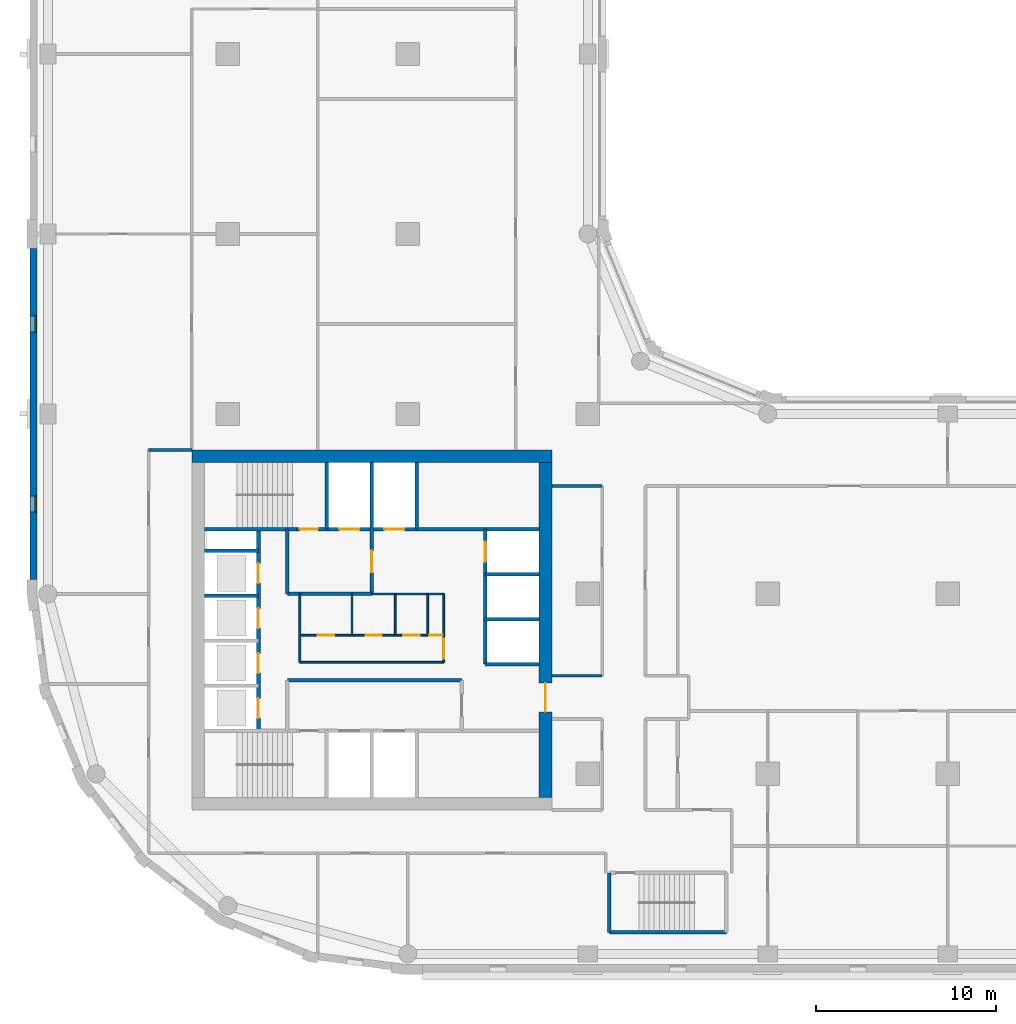
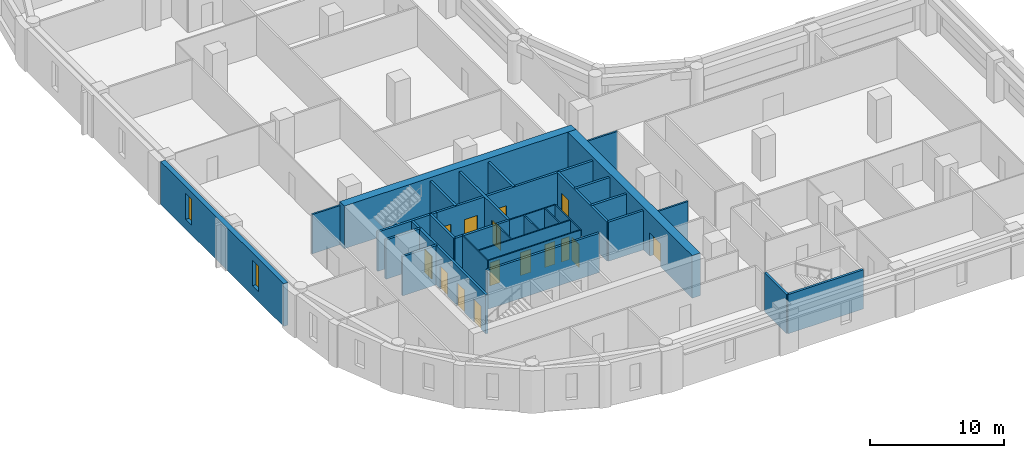
# One storey, part 3 of 10: 31 walls, 15 doors, 2 windows, 17 openings.
"""IFC4 building model written with IfcOpenShell, lengths in metres."""

import ifcopenshell
import ifcopenshell.guid

model = None  # the IFC model being written
_history = None  # IfcOwnerHistory: only IFC2X3 demands one
_inside = {}  # id of a spatial element -> (the spatial element, [elements in it])
_under = {}  # id of a project, library or spatial element -> (it, [spatial elements below it])
_declared = {}  # id of a project -> (the project, [libraries it declares])
_typed = {}  # id of a type object -> (the type object, [elements of that type])
_made_of = {}  # id of a material, layer set ... -> (it, [elements and type objects made of it])


def new_model(schema):
    """Start an empty IFC model of exactly this schema.

    Asked for "IFC4X3", IfcOpenShell would pick the latest addendum, in which some entities
    have other attributes; the version numbers below select the first issue.
    IFC2X3 requires an IfcOwnerHistory on every rooted entity: one is made here for all.
    """
    global model, _history
    if schema == "IFC4X3":
        model = ifcopenshell.file(schema_version=(4, 3, 0, 0))
    else:
        model = ifcopenshell.file(schema=schema)
    _inside.clear()
    _under.clear()
    _declared.clear()
    _typed.clear()
    _made_of.clear()
    _history = None
    if model.schema == "IFC2X3":
        org = make("IfcOrganization", Name="unknown")
        user = make(
            "IfcPersonAndOrganization",
            ThePerson=make("IfcPerson", FamilyName="unknown"),
            TheOrganization=org,
        )
        app = make(
            "IfcApplication",
            ApplicationDeveloper=org,
            Version="unknown",
            ApplicationFullName="unknown",
            ApplicationIdentifier="unknown",
        )
        _history = make(
            "IfcOwnerHistory",
            OwningUser=user,
            OwningApplication=app,
            ChangeAction="ADDED",
            CreationDate=0,
        )
    return model


def make(cls, **values):
    """One entity of the class cls with the attributes given. An attribute that is None is left unset."""
    return model.create_entity(
        cls, **{name: value for name, value in values.items() if value is not None}
    )


def rooted(cls, **values):
    """An entity with a GlobalId (a new one), such as an element, a storey or a relation."""
    return make(cls, GlobalId=ifcopenshell.guid.new(), OwnerHistory=_history, **values)


def si_unit(unit_type, name, prefix=None):
    """IfcSIUnit, for example si_unit("LENGTHUNIT", "METRE", prefix="MILLI")."""
    return make("IfcSIUnit", UnitType=unit_type, Prefix=prefix, Name=name)


def assignment(units):
    """IfcUnitAssignment: the units of a project."""
    return None if units is None else make("IfcUnitAssignment", Units=units)


def point(xyz):
    """IfcCartesianPoint."""
    return None if xyz is None else make("IfcCartesianPoint", Coordinates=xyz)


def direction(xyz):
    """IfcDirection."""
    return None if xyz is None else make("IfcDirection", DirectionRatios=xyz)


def frame(location, z_axis=None, x_axis=None):
    """IfcAxis2Placement3D, a coordinate frame: its origin and axes. An axis left out is left unset."""
    return make(
        "IfcAxis2Placement3D",
        Location=point(location),
        Axis=direction(z_axis),
        RefDirection=direction(x_axis),
    )


def frame_2d(location, x_axis=None):
    """IfcAxis2Placement2D, a coordinate frame in the plane: its origin and x axis."""
    return make(
        "IfcAxis2Placement2D", Location=point(location), RefDirection=direction(x_axis)
    )


def origin():
    """The frame at (0, 0, 0) with its axes left unset."""
    return frame((0.0, 0.0, 0.0))


def place(relative_to, where):
    """IfcLocalPlacement: puts the frame where relative to a parent placement (None: the world)."""
    return make(
        "IfcLocalPlacement", PlacementRelTo=relative_to, RelativePlacement=where
    )


def context(
    kind, dimensions, precision=None, world=None, true_north=None, identifier=None
):
    """IfcGeometricRepresentationContext, for example the 3D "Model" context."""
    return make(
        "IfcGeometricRepresentationContext",
        ContextIdentifier=identifier,
        ContextType=kind,
        CoordinateSpaceDimension=dimensions,
        Precision=precision,
        WorldCoordinateSystem=world,
        TrueNorth=true_north,
    )


def subcontext(parent, identifier, kind, view, scale=None):
    """IfcGeometricRepresentationSubContext, for example "Body" below "Model"."""
    return make(
        "IfcGeometricRepresentationSubContext",
        ContextIdentifier=identifier,
        ContextType=kind,
        ParentContext=parent,
        TargetScale=scale,
        TargetView=view,
    )


def project(units=None, contexts=None):
    """IfcProject with its units and contexts."""
    return rooted(
        "IfcProject",
        Name="project",
        RepresentationContexts=contexts,
        UnitsInContext=assignment(units),
    )


def spatial(cls, under=None, at=None, **own):
    """A site, building, storey or space (cls), placed at a placement, below another one or the project."""
    s = rooted(cls, ObjectPlacement=at, **own)
    if under is not None:
        _under.setdefault(under.id(), (under, []))[1].append(s)
    return s


def profile(cls, at=None, kind="AREA", **sizes):
    """A parametric profile (cls). Its sizes go by their IFC names, for example OverallWidth=200.0."""
    return make(cls, ProfileType=kind, Position=at, **sizes)


def rectangle(**sizes):
    """IfcRectangleProfileDef."""
    return profile("IfcRectangleProfileDef", **sizes)


def extrude(swept, where, along, depth):
    """IfcExtrudedAreaSolid: the profile swept, set in the frame where, extruded along a direction by depth."""
    return make(
        "IfcExtrudedAreaSolid",
        SweptArea=swept,
        Position=where,
        ExtrudedDirection=direction(along),
        Depth=depth,
    )


def shape(context_of_items, identifier, shape_type, items):
    """IfcShapeRepresentation: the items that make up one representation, for example the "Body"."""
    return make(
        "IfcShapeRepresentation",
        ContextOfItems=context_of_items,
        RepresentationIdentifier=identifier,
        RepresentationType=shape_type,
        Items=items,
    )


def material(Name=None, Category=None):
    """IfcMaterial."""
    return make("IfcMaterial", Name=Name, Category=Category)


def layer(
    of_material, thickness, ventilated=None, Name=None, Category=None, Priority=None
):
    """IfcMaterialLayer: one layer of a wall or slab, of a material (None: an air gap)."""
    return make(
        "IfcMaterialLayer",
        Material=of_material,
        LayerThickness=thickness,
        IsVentilated=ventilated,
        Name=Name,
        Category=Category,
        Priority=Priority,
    )


def layer_set(layers, Name=None):
    """IfcMaterialLayerSet."""
    return make("IfcMaterialLayerSet", MaterialLayers=layers, LayerSetName=Name)


def made_of(thing, what):
    """Note that an element or type object is made of a material, layer set ...; save() writes the relation."""
    if what is not None:
        _made_of.setdefault(what.id(), (what, []))[1].append(thing)
    return thing


def type_object(cls, material=None, **own):
    """A type object (cls), such as IfcWallType, which elements share."""
    return made_of(rooted(cls, **own), material)


def element(
    cls,
    number,
    at=None,
    inside=None,
    cuts=None,
    type_object=None,
    material=None,
    context=None,
    identifier="Body",
    shape_type=None,
    held_by="IfcProductDefinitionShape",
    body=None,
    shapes=None,
    **own,
):
    """One element of the class cls, such as IfcWall. Its Tag is "e" and its number.

    at: its placement. inside: the storey or other place that contains it. cuts: it is an
    opening in that element (IfcRelVoidsElement). A single representation is given by context,
    identifier, shape_type and body (its items); several are given by shapes. held_by: the class
    of the entity that holds the representations. save() writes the other relations.
    """
    e = rooted(cls, Tag="e%d" % number, ObjectPlacement=at, **own)
    if body is not None:
        shapes = [shape(context, identifier, shape_type, body)]
    if shapes is not None:
        e.Representation = make(held_by, Representations=shapes)
    if inside is not None:
        _inside.setdefault(inside.id(), (inside, []))[1].append(e)
    if cuts is not None:
        rooted(
            "IfcRelVoidsElement", RelatingBuildingElement=cuts, RelatedOpeningElement=e
        )
    if type_object is not None:
        _typed.setdefault(type_object.id(), (type_object, []))[1].append(e)
    return made_of(e, material)


def fill(opening, filler):
    """IfcRelFillsElement: the door or window that sits in an opening."""
    return rooted(
        "IfcRelFillsElement",
        RelatingOpeningElement=opening,
        RelatedBuildingElement=filler,
    )


def aggregate(whole, parts):
    """IfcRelAggregates: a whole, such as a stair, and the parts it consists of."""
    return rooted("IfcRelAggregates", RelatingObject=whole, RelatedObjects=parts)


def save(model, path):
    """Write the relations noted so far, then the file.

    IfcRelAggregates (storeys below a building ...), IfcRelContainedInSpatialStructure (elements
    in a storey), IfcRelDefinesByType, IfcRelAssociatesMaterial and IfcRelDeclares: one each for
    every whole, place, type object, material and project.
    """
    for whole, parts in _under.values():
        aggregate(whole, parts)
    for where, things in _inside.values():
        rooted(
            "IfcRelContainedInSpatialStructure",
            RelatedElements=things,
            RelatingStructure=where,
        )
    for kind, things in _typed.values():
        rooted("IfcRelDefinesByType", RelatedObjects=things, RelatingType=kind)
    for what, things in _made_of.values():
        rooted("IfcRelAssociatesMaterial", RelatedObjects=things, RelatingMaterial=what)
    for by, libraries in _declared.values():
        rooted("IfcRelDeclares", RelatingContext=by, RelatedDefinitions=libraries)
    model.write(path)


model = new_model("IFC4")

# Units and contexts
model_context = context("Model", 3, precision=1e-05, world=origin(), true_north=direction((0.0, 1.0)))
body_context = subcontext(model_context, "Body", "Model", "MODEL_VIEW")
ifc_project = project(units=[si_unit("LENGTHUNIT", "METRE"), si_unit("AREAUNIT", "SQUARE_METRE"), si_unit("VOLUMEUNIT", "CUBIC_METRE"), si_unit("PLANEANGLEUNIT", "RADIAN"), si_unit("MASSUNIT", "GRAM", prefix="KILO")], contexts=[model_context])

# Site, building, storey
site_placement = place(None, origin())
site = spatial("IfcSite", under=ifc_project, at=site_placement, CompositionType="ELEMENT")
building_placement = place(site_placement, origin())
building = spatial("IfcBuilding", under=site, at=building_placement, Name="Qaws Garden Tower", CompositionType="ELEMENT")
storey_placement = place(building_placement, frame((0.0, 0.0, 201.89990234375)))
storey = spatial("IfcBuildingStorey", under=building, at=storey_placement, Name="L49", CompositionType="ELEMENT", Elevation=201.89990234375)

# Wall, openings, windows
ifc_material_1 = material(Name="Clay facing brick masonry", Category="masonry")
ifc_layer_1 = layer(ifc_material_1, 0.39990234375)
ifc_layer_set_1 = layer_set([ifc_layer_1], Name="Clay facing brick masonry")
wall_type_1 = type_object("IfcWallType", Name="Brick infill wall 400", PredefinedType="SOLIDWALL", material=ifc_layer_set_1)
wall_1_placement = place(storey_placement, frame((-0.800048828125, 39.199951171875, 0.0), z_axis=(0.0, 0.0, 1.0), x_axis=(0.0, -1.0, 0.0)))
wall_1 = element("IfcWall", 1, at=wall_1_placement, inside=storey, type_object=wall_type_1, Name="E-L49-infill-23", PredefinedType="SOLIDWALL", context=body_context, shape_type="SweptSolid", body=[
    extrude(rectangle(XDim=18.39990234375, YDim=0.39990234375, at=frame_2d((9.199951171875, 0.0))), origin(), (0.0, 0.0, 1.0), 3.900146484375),
])
opening_1_placement = place(wall_1_placement, frame((3.75, 0.0, 0.89990234375)))
opening_1 = element("IfcOpeningElement", 2, at=opening_1_placement, cuts=wall_1, Name="Opening W09", PredefinedType="OPENING", context=body_context, shape_type="SweptSolid", body=[
    extrude(rectangle(XDim=0.89990234375, YDim=2.35009765625, at=frame_2d((0.449951171875, 1.175048828125))), frame((0.0, 0.2099609375, 0.0), z_axis=(0.0, -1.0, 0.0), x_axis=(1.0, 0.0, 0.0)), (0.0, 0.0, 1.0), 0.419921875),
])
opening_2_placement = place(wall_1_placement, frame((13.75, 0.0, 0.89990234375)))
opening_2 = element("IfcOpeningElement", 3, at=opening_2_placement, cuts=wall_1, Name="Opening W09", PredefinedType="OPENING", context=body_context, shape_type="SweptSolid", body=[
    extrude(rectangle(XDim=0.89990234375, YDim=2.35009765625, at=frame_2d((0.449951171875, 1.175048828125))), frame((0.0, 0.2099609375, 0.0), z_axis=(0.0, -1.0, 0.0), x_axis=(1.0, 0.0, 0.0)), (0.0, 0.0, 1.0), 0.419921875),
])
ifc_material_2 = material(Name="Aluminium framed window, clear glazing", Category="aluminium")
window_type = type_object("IfcWindowType", Name="Slit window 900 x 2350", PartitioningType="SINGLE_PANEL", PredefinedType="WINDOW", material=ifc_material_2)
window_1_placement = place(opening_1_placement, origin())
window_1 = element("IfcWindow", 4, at=window_1_placement, inside=storey, type_object=window_type, Name="E-L49-window-23-0", OverallHeight=2.35009765625, OverallWidth=0.89990234375, PartitioningType="SINGLE_PANEL", PredefinedType="WINDOW", context=body_context, shape_type="SweptSolid", body=[
    extrude(rectangle(XDim=0.89990234375, YDim=2.35009765625, at=frame_2d((0.449951171875, 1.175048828125))), frame((0.0, 0.159912109375, 0.0), z_axis=(0.0, -1.0, 0.0), x_axis=(1.0, 0.0, 0.0)), (0.0, 0.0, 1.0), 0.06005859375),
])
fill(opening_1, window_1)
window_2_placement = place(opening_2_placement, origin())
window_2 = element("IfcWindow", 5, at=window_2_placement, inside=storey, type_object=window_type, Name="E-L49-window-24-0", OverallHeight=2.35009765625, OverallWidth=0.89990234375, PartitioningType="SINGLE_PANEL", PredefinedType="WINDOW", context=body_context, shape_type="SweptSolid", body=[
    extrude(rectangle(XDim=0.89990234375, YDim=2.35009765625, at=frame_2d((0.449951171875, 1.175048828125))), frame((0.0, 0.159912109375, 0.0), z_axis=(0.0, -1.0, 0.0), x_axis=(1.0, 0.0, 0.0)), (0.0, 0.0, 1.0), 0.06005859375),
])
fill(opening_2, window_2)

# Wall
ifc_material_3 = material(Name="Plasterboard")
ifc_layer_2 = layer(ifc_material_3, 0.10009765625)
ifc_layer_set_2 = layer_set([ifc_layer_2], Name="Plasterboard")
wall_type_2 = type_object("IfcWallType", Name="Core partition 100", PredefinedType="PARTITIONING", material=ifc_layer_set_2)
wall_2_placement = place(storey_placement, frame((14.0, 16.199951171875, 0.0), z_axis=(0.0, 0.0, 1.0), x_axis=(1.0, 0.0, 0.0)))
element("IfcWall", 6, at=wall_2_placement, inside=storey, type_object=wall_type_2, Name="Core partition", PredefinedType="PARTITIONING", context=body_context, shape_type="SweptSolid", body=[
    extrude(rectangle(XDim=8.0, YDim=0.10009765625, at=frame_2d((4.0, 0.0))), origin(), (0.0, 0.0, 1.0), 3.580078125),
])

# Wall, openings, doors
wall_3_placement = place(storey_placement, frame((14.0, 17.699951171875, 0.0), z_axis=(0.0, 0.0, 1.0), x_axis=(1.0, 0.0, 0.0)))
wall_3 = element("IfcWall", 7, at=wall_3_placement, inside=storey, type_object=wall_type_2, Name="Core partition", PredefinedType="PARTITIONING", context=body_context, shape_type="SweptSolid", body=[
    extrude(rectangle(XDim=8.0, YDim=0.10009765625, at=frame_2d((4.0, 0.0))), origin(), (0.0, 0.0, 1.0), 3.580078125),
])
opening_3_placement = place(wall_3_placement, frame((1.0, 0.0, 0.0)))
opening_3 = element("IfcOpeningElement", 8, at=opening_3_placement, cuts=wall_3, Name="Opening WD18", PredefinedType="OPENING", context=body_context, shape_type="SweptSolid", body=[
    extrude(rectangle(XDim=0.89990234375, YDim=2.10009765625, at=frame_2d((0.449951171875, 1.050048828125))), frame((0.0, 0.06005859375, 0.0), z_axis=(0.0, -1.0, 0.0), x_axis=(1.0, 0.0, 0.0)), (0.0, 0.0, 1.0), 0.1201171875),
])
opening_4_placement = place(wall_3_placement, frame((3.64990234375, 0.0, 0.0)))
opening_4 = element("IfcOpeningElement", 9, at=opening_4_placement, cuts=wall_3, Name="Opening WD19", PredefinedType="OPENING", context=body_context, shape_type="SweptSolid", body=[
    extrude(rectangle(XDim=0.89990234375, YDim=2.10009765625, at=frame_2d((0.449951171875, 1.050048828125))), frame((0.0, 0.06005859375, 0.0), z_axis=(0.0, -1.0, 0.0), x_axis=(1.0, 0.0, 0.0)), (0.0, 0.0, 1.0), 0.1201171875),
])
opening_5_placement = place(wall_3_placement, frame((5.75, 0.0, 0.0)))
opening_5 = element("IfcOpeningElement", 10, at=opening_5_placement, cuts=wall_3, Name="Opening WD20", PredefinedType="OPENING", context=body_context, shape_type="SweptSolid", body=[
    extrude(rectangle(XDim=0.89990234375, YDim=2.10009765625, at=frame_2d((0.449951171875, 1.050048828125))), frame((0.0, 0.06005859375, 0.0), z_axis=(0.0, -1.0, 0.0), x_axis=(1.0, 0.0, 0.0)), (0.0, 0.0, 1.0), 0.1201171875),
])
opening_6_placement = place(wall_3_placement, frame((7.199951171875, 0.0, 0.0)))
opening_6 = element("IfcOpeningElement", 11, at=opening_6_placement, cuts=wall_3, Name="Opening XD21", PredefinedType="OPENING", context=body_context, shape_type="SweptSolid", body=[
    extrude(rectangle(XDim=0.699951171875, YDim=2.10009765625, at=frame_2d((0.35009765625, 1.050048828125))), frame((0.0, 0.06005859375, 0.0), z_axis=(0.0, -1.0, 0.0), x_axis=(1.0, 0.0, 0.0)), (0.0, 0.0, 1.0), 0.1201171875),
])
ifc_material_4 = material(Name="Timber", Category="wood")
door_type_1 = type_object("IfcDoorType", Name="Store door 700x2100", OperationType="SINGLE_SWING_LEFT", PredefinedType="DOOR", material=ifc_material_4)
door_1_placement = place(opening_6_placement, origin())
door_1 = element("IfcDoor", 12, at=door_1_placement, inside=storey, type_object=door_type_1, Name="Cleaner's store door", OperationType="SINGLE_SWING_RIGHT", OverallHeight=2.10009765625, OverallWidth=0.699951171875, PredefinedType="DOOR", context=body_context, shape_type="SweptSolid", body=[
    extrude(rectangle(XDim=0.699951171875, YDim=2.10009765625, at=frame_2d((0.35009765625, 1.050048828125))), frame((0.0, 0.02490234375, 0.0), z_axis=(0.0, -1.0, 0.0), x_axis=(1.0, 0.0, 0.0)), (0.0, 0.0, 1.0), 0.050048828125),
])
fill(opening_6, door_1)
ifc_material_5 = material(Name="Timber", Category="wood")
door_type_2 = type_object("IfcDoorType", Name="WC door 900x2100", OperationType="SINGLE_SWING_LEFT", PredefinedType="DOOR", material=ifc_material_5)
door_2_placement = place(opening_3_placement, origin())
door_2 = element("IfcDoor", 13, at=door_2_placement, inside=storey, type_object=door_type_2, Name="Women's WC door", OperationType="SINGLE_SWING_RIGHT", OverallHeight=2.10009765625, OverallWidth=0.89990234375, PredefinedType="DOOR", context=body_context, shape_type="SweptSolid", body=[
    extrude(rectangle(XDim=0.89990234375, YDim=2.10009765625, at=frame_2d((0.449951171875, 1.050048828125))), frame((0.0, 0.02490234375, 0.0), z_axis=(0.0, -1.0, 0.0), x_axis=(1.0, 0.0, 0.0)), (0.0, 0.0, 1.0), 0.050048828125),
])
fill(opening_3, door_2)
door_3_placement = place(opening_4_placement, origin())
door_3 = element("IfcDoor", 14, at=door_3_placement, inside=storey, type_object=door_type_2, Name="Men's WC door", OperationType="SINGLE_SWING_RIGHT", OverallHeight=2.10009765625, OverallWidth=0.89990234375, PredefinedType="DOOR", context=body_context, shape_type="SweptSolid", body=[
    extrude(rectangle(XDim=0.89990234375, YDim=2.10009765625, at=frame_2d((0.449951171875, 1.050048828125))), frame((0.0, 0.02490234375, 0.0), z_axis=(0.0, -1.0, 0.0), x_axis=(1.0, 0.0, 0.0)), (0.0, 0.0, 1.0), 0.050048828125),
])
fill(opening_4, door_3)
door_4_placement = place(opening_5_placement, origin())
door_4 = element("IfcDoor", 15, at=door_4_placement, inside=storey, type_object=door_type_2, Name="Accessible WC door", OperationType="SINGLE_SWING_RIGHT", OverallHeight=2.10009765625, OverallWidth=0.89990234375, PredefinedType="DOOR", context=body_context, shape_type="SweptSolid", body=[
    extrude(rectangle(XDim=0.89990234375, YDim=2.10009765625, at=frame_2d((0.449951171875, 1.050048828125))), frame((0.0, 0.02490234375, 0.0), z_axis=(0.0, -1.0, 0.0), x_axis=(1.0, 0.0, 0.0)), (0.0, 0.0, 1.0), 0.050048828125),
])
fill(opening_5, door_4)

# Walls
wall_4_placement = place(storey_placement, frame((18.0, 20.0, 0.0), z_axis=(0.0, 0.0, 1.0), x_axis=(1.0, 0.0, 0.0)))
element("IfcWall", 16, at=wall_4_placement, inside=storey, type_object=wall_type_2, Name="Core partition", PredefinedType="PARTITIONING", context=body_context, shape_type="SweptSolid", body=[
    extrude(rectangle(XDim=4.0, YDim=0.10009765625, at=frame_2d((2.0, 0.0))), origin(), (0.0, 0.0, 1.0), 3.580078125),
])
wall_5_placement = place(storey_placement, frame((14.0, 16.199951171875, 0.0), z_axis=(0.0, 0.0, 1.0), x_axis=(0.0, 1.0, 0.0)))
element("IfcWall", 17, at=wall_5_placement, inside=storey, type_object=wall_type_2, Name="Core partition", PredefinedType="PARTITIONING", context=body_context, shape_type="SweptSolid", body=[
    extrude(rectangle(XDim=3.800048828125, YDim=0.10009765625, at=frame_2d((1.89990234375, 0.0))), origin(), (0.0, 0.0, 1.0), 3.580078125),
])
for number, where, z_axis, x_axis, name in (
    (18, (16.89990234375, 17.699951171875, 0.0), (0.0, 0.0, 1.0), (0.0, 1.0, 0.0), "Core partition"),
    (19, (19.300048828125, 17.699951171875, 0.0), (0.0, 0.0, 1.0), (0.0, 1.0, 0.0), "Core partition"),
    (20, (21.10009765625, 17.699951171875, 0.0), (0.0, 0.0, 1.0), (0.0, 1.0, 0.0), "Core partition"),
):
    element("IfcWall", number, at=place(storey_placement, frame(where, z_axis=z_axis, x_axis=x_axis)), inside=storey, type_object=wall_type_2, Name=name, PredefinedType="PARTITIONING", context=body_context, shape_type="SweptSolid", body=[
        extrude(rectangle(XDim=2.300048828125, YDim=0.10009765625, at=frame_2d((1.14990234375, 0.0))), origin(), (0.0, 0.0, 1.0), 3.580078125),
    ])

# Wall, opening, door
wall_6_placement = place(storey_placement, frame((22.0, 16.199951171875, 0.0), z_axis=(0.0, 0.0, 1.0), x_axis=(0.0, 1.0, 0.0)))
wall_6 = element("IfcWall", 21, at=wall_6_placement, inside=storey, type_object=wall_type_2, Name="Core partition", PredefinedType="PARTITIONING", context=body_context, shape_type="SweptSolid", body=[
    extrude(rectangle(XDim=3.800048828125, YDim=0.10009765625, at=frame_2d((1.89990234375, 0.0))), origin(), (0.0, 0.0, 1.0), 3.580078125),
])
opening_7_placement = place(wall_6_placement, frame((0.199951171875, 0.0, 0.0)))
opening_7 = element("IfcOpeningElement", 22, at=opening_7_placement, cuts=wall_6, Name="Opening WL17", PredefinedType="OPENING", context=body_context, shape_type="SweptSolid", body=[
    extrude(rectangle(XDim=1.10009765625, YDim=2.10009765625, at=frame_2d((0.550048828125, 1.050048828125))), frame((0.0, 0.06005859375, 0.0), z_axis=(0.0, -1.0, 0.0), x_axis=(1.0, 0.0, 0.0)), (0.0, 0.0, 1.0), 0.1201171875),
])
ifc_material_6 = material(Name="Timber", Category="wood")
door_type_3 = type_object("IfcDoorType", Name="WC lobby door 1100x2100", OperationType="SINGLE_SWING_LEFT", PredefinedType="DOOR", material=ifc_material_6)
door_5_placement = place(opening_7_placement, origin())
door_5 = element("IfcDoor", 23, at=door_5_placement, inside=storey, type_object=door_type_3, Name="WC lobby door", OperationType="SINGLE_SWING_RIGHT", OverallHeight=2.10009765625, OverallWidth=1.10009765625, PredefinedType="DOOR", context=body_context, shape_type="SweptSolid", body=[
    extrude(rectangle(XDim=1.10009765625, YDim=2.10009765625, at=frame_2d((0.550048828125, 1.050048828125))), frame((0.0, 0.02490234375, 0.0), z_axis=(0.0, -1.0, 0.0), x_axis=(1.0, 0.0, 0.0)), (0.0, 0.0, 1.0), 0.050048828125),
])
fill(opening_7, door_5)

# Walls
ifc_material_7 = material(Name="Concrete C70", Category="concrete")
ifc_layer_3 = layer(ifc_material_7, 0.199951171875)
ifc_layer_set_3 = layer_set([ifc_layer_3], Name="Concrete C70")
wall_type_3 = type_object("IfcWallType", Name="Core shaft wall 200 C70", PredefinedType="SHEAR", material=ifc_layer_set_3)
wall_7_placement = place(storey_placement, frame((31.199951171875, 1.199951171875, 0.0), z_axis=(0.0, 0.0, 1.0), x_axis=(1.0, 0.0, 0.0)))
element("IfcWall", 24, at=wall_7_placement, inside=storey, type_object=wall_type_3, Name="Shaft wall", PredefinedType="SHEAR", context=body_context, shape_type="SweptSolid", body=[
    extrude(rectangle(XDim=6.5, YDim=0.199951171875, at=frame_2d((3.25, 0.0))), origin(), (0.0, 0.0, 1.0), 3.580078125),
])
wall_8_placement = place(storey_placement, frame((13.300048828125, 15.199951171875, 0.0), z_axis=(0.0, 0.0, 1.0), x_axis=(1.0, 0.0, 0.0)))
element("IfcWall", 25, at=wall_8_placement, inside=storey, type_object=wall_type_3, Name="Shaft wall", PredefinedType="SHEAR", context=body_context, shape_type="SweptSolid", body=[
    extrude(rectangle(XDim=9.699951171875, YDim=0.199951171875, at=frame_2d((4.85009765625, 0.0))), origin(), (0.0, 0.0, 1.0), 3.580078125),
])
for number, where, z_axis, x_axis, name in (
    (26, (24.300048828125, 16.10009765625, 0.0), (0.0, 0.0, 1.0), (1.0, 0.0, 0.0), "Shaft wall"),
    (27, (24.300048828125, 18.60009765625, 0.0), (0.0, 0.0, 1.0), (1.0, 0.0, 0.0), "Shaft wall"),
    (28, (8.699951171875, 19.89990234375, 0.0), (0.0, 0.0, 1.0), (1.0, 0.0, 0.0), "Shaft wall"),
):
    element("IfcWall", number, at=place(storey_placement, frame(where, z_axis=z_axis, x_axis=x_axis)), inside=storey, type_object=wall_type_3, Name=name, PredefinedType="SHEAR", context=body_context, shape_type="SweptSolid", body=[
        extrude(rectangle(XDim=3.0, YDim=0.199951171875, at=frame_2d((1.5, 0.0))), origin(), (0.0, 0.0, 1.0), 3.580078125),
    ])
wall_9_placement = place(storey_placement, frame((13.300048828125, 20.0, 0.0), z_axis=(0.0, 0.0, 1.0), x_axis=(1.0, 0.0, 0.0)))
element("IfcWall", 29, at=wall_9_placement, inside=storey, type_object=wall_type_3, Name="Shaft wall", PredefinedType="SHEAR", context=body_context, shape_type="SweptSolid", body=[
    extrude(rectangle(XDim=4.699951171875, YDim=0.199951171875, at=frame_2d((2.35009765625, 0.0))), origin(), (0.0, 0.0, 1.0), 3.580078125),
])
for number, where, z_axis, x_axis, name in (
    (30, (24.300048828125, 21.10009765625, 0.0), (0.0, 0.0, 1.0), (1.0, 0.0, 0.0), "Shaft wall"),
    (31, (8.699951171875, 22.39990234375, 0.0), (0.0, 0.0, 1.0), (1.0, 0.0, 0.0), "Shaft wall"),
):
    element("IfcWall", number, at=place(storey_placement, frame(where, z_axis=z_axis, x_axis=x_axis)), inside=storey, type_object=wall_type_3, Name=name, PredefinedType="SHEAR", context=body_context, shape_type="SweptSolid", body=[
        extrude(rectangle(XDim=3.0, YDim=0.199951171875, at=frame_2d((1.5, 0.0))), origin(), (0.0, 0.0, 1.0), 3.580078125),
    ])
wall_10_placement = place(storey_placement, frame((8.699951171875, 23.60009765625, 0.0), z_axis=(0.0, 0.0, 1.0), x_axis=(1.0, 0.0, 0.0)))
element("IfcWall", 32, at=wall_10_placement, inside=storey, type_object=wall_type_3, Name="Shaft wall", PredefinedType="SHEAR", context=body_context, shape_type="SweptSolid", body=[
    extrude(rectangle(XDim=5.10009765625, YDim=0.199951171875, at=frame_2d((2.550048828125, 0.0))), origin(), (0.0, 0.0, 1.0), 3.580078125),
])

# Wall, openings, doors
wall_11_placement = place(storey_placement, frame((13.800048828125, 23.60009765625, 0.0), z_axis=(0.0, 0.0, 1.0), x_axis=(1.0, 0.0, 0.0)))
wall_11 = element("IfcWall", 33, at=wall_11_placement, inside=storey, type_object=wall_type_3, Name="Shaft wall", PredefinedType="SHEAR", context=body_context, shape_type="SweptSolid", body=[
    extrude(rectangle(XDim=13.5, YDim=0.199951171875, at=frame_2d((6.75, 0.0))), origin(), (0.0, 0.0, 1.0), 3.580078125),
])
opening_8_placement = place(wall_11_placement, frame((2.39990234375, 0.0, 0.0)))
opening_8 = element("IfcOpeningElement", 34, at=opening_8_placement, cuts=wall_11, Name="Opening LD08", PredefinedType="OPENING", context=body_context, shape_type="SweptSolid", body=[
    extrude(rectangle(XDim=1.10009765625, YDim=2.10009765625, at=frame_2d((0.550048828125, 1.050048828125))), frame((0.0, 0.10986328125, 0.0), z_axis=(0.0, -1.0, 0.0), x_axis=(1.0, 0.0, 0.0)), (0.0, 0.0, 1.0), 0.219970703125),
])
opening_9_placement = place(wall_11_placement, frame((4.89990234375, 0.0, 0.0)))
opening_9 = element("IfcOpeningElement", 35, at=opening_9_placement, cuts=wall_11, Name="Opening LD09", PredefinedType="OPENING", context=body_context, shape_type="SweptSolid", body=[
    extrude(rectangle(XDim=1.10009765625, YDim=2.10009765625, at=frame_2d((0.550048828125, 1.050048828125))), frame((0.0, 0.10986328125, 0.0), z_axis=(0.0, -1.0, 0.0), x_axis=(1.0, 0.0, 0.0)), (0.0, 0.0, 1.0), 0.219970703125),
])
opening_10_placement = place(wall_11_placement, frame((0.199951171875, 0.0, 0.0)))
opening_10 = element("IfcOpeningElement", 36, at=opening_10_placement, cuts=wall_11, Name="Opening SD11", PredefinedType="OPENING", context=body_context, shape_type="SweptSolid", body=[
    extrude(rectangle(XDim=1.0, YDim=2.10009765625, at=frame_2d((0.5, 1.050048828125))), frame((0.0, 0.10986328125, 0.0), z_axis=(0.0, -1.0, 0.0), x_axis=(1.0, 0.0, 0.0)), (0.0, 0.0, 1.0), 0.219970703125),
])
ifc_material_8 = material(Name="Steel S235", Category="steel")
door_type_4 = type_object("IfcDoorType", Name="Landing door 1100x2100", OperationType="DOUBLE_DOOR_SLIDING", PredefinedType="DOOR", material=ifc_material_8)
door_6_placement = place(opening_8_placement, origin())
door_6 = element("IfcDoor", 37, at=door_6_placement, inside=storey, type_object=door_type_4, Name="Lift FF3 landing door", OperationType="DOUBLE_DOOR_SLIDING", OverallHeight=2.10009765625, OverallWidth=1.10009765625, PredefinedType="DOOR", context=body_context, shape_type="SweptSolid", body=[
    extrude(rectangle(XDim=1.10009765625, YDim=2.10009765625, at=frame_2d((0.550048828125, 1.050048828125))), frame((0.0, 0.02490234375, 0.0), z_axis=(0.0, -1.0, 0.0), x_axis=(1.0, 0.0, 0.0)), (0.0, 0.0, 1.0), 0.050048828125),
])
fill(opening_8, door_6)
door_7_placement = place(opening_9_placement, origin())
door_7 = element("IfcDoor", 38, at=door_7_placement, inside=storey, type_object=door_type_4, Name="Lift SV2 landing door", OperationType="DOUBLE_DOOR_SLIDING", OverallHeight=2.10009765625, OverallWidth=1.10009765625, PredefinedType="DOOR", context=body_context, shape_type="SweptSolid", body=[
    extrude(rectangle(XDim=1.10009765625, YDim=2.10009765625, at=frame_2d((0.550048828125, 1.050048828125))), frame((0.0, 0.02490234375, 0.0), z_axis=(0.0, -1.0, 0.0), x_axis=(1.0, 0.0, 0.0)), (0.0, 0.0, 1.0), 0.050048828125),
])
fill(opening_9, door_7)
ifc_material_9 = material(Name="Steel S235", Category="steel")
door_type_5 = type_object("IfcDoorType", Name="Stair door 1000x2100", OperationType="SINGLE_SWING_RIGHT", PredefinedType="DOOR", material=ifc_material_9)
door_8_placement = place(opening_10_placement, origin())
door_8 = element("IfcDoor", 39, at=door_8_placement, inside=storey, type_object=door_type_5, Name="Stair 4 door", OperationType="SINGLE_SWING_RIGHT", OverallHeight=2.10009765625, OverallWidth=1.0, PredefinedType="DOOR", context=body_context, shape_type="SweptSolid", body=[
    extrude(rectangle(XDim=1.0, YDim=2.10009765625, at=frame_2d((0.5, 1.050048828125))), frame((0.0, 0.02490234375, 0.0), z_axis=(0.0, -1.0, 0.0), x_axis=(1.0, 0.0, 0.0)), (0.0, 0.0, 1.0), 0.050048828125),
])
fill(opening_10, door_8)

wall_12_placement = place(storey_placement, frame((11.699951171875, 12.39990234375, 0.0), z_axis=(0.0, 0.0, 1.0), x_axis=(0.0, 1.0, 0.0)))
wall_12 = element("IfcWall", 40, at=wall_12_placement, inside=storey, type_object=wall_type_3, Name="Shaft wall", PredefinedType="SHEAR", context=body_context, shape_type="SweptSolid", body=[
    extrude(rectangle(XDim=11.2001953125, YDim=0.199951171875, at=frame_2d((5.60009765625, 0.0))), origin(), (0.0, 0.0, 1.0), 3.580078125),
])
opening_11_placement = place(wall_12_placement, frame((0.699951171875, 0.0, 0.0)))
opening_11 = element("IfcOpeningElement", 41, at=opening_11_placement, cuts=wall_12, Name="Opening LD01", PredefinedType="OPENING", context=body_context, shape_type="SweptSolid", body=[
    extrude(rectangle(XDim=1.10009765625, YDim=2.10009765625, at=frame_2d((0.550048828125, 1.050048828125))), frame((0.0, 0.10986328125, 0.0), z_axis=(0.0, -1.0, 0.0), x_axis=(1.0, 0.0, 0.0)), (0.0, 0.0, 1.0), 0.219970703125),
])
opening_12_placement = place(wall_12_placement, frame((3.199951171875, 0.0, 0.0)))
opening_12 = element("IfcOpeningElement", 42, at=opening_12_placement, cuts=wall_12, Name="Opening LD02", PredefinedType="OPENING", context=body_context, shape_type="SweptSolid", body=[
    extrude(rectangle(XDim=1.10009765625, YDim=2.10009765625, at=frame_2d((0.550048828125, 1.050048828125))), frame((0.0, 0.10986328125, 0.0), z_axis=(0.0, -1.0, 0.0), x_axis=(1.0, 0.0, 0.0)), (0.0, 0.0, 1.0), 0.219970703125),
])
opening_13_placement = place(wall_12_placement, frame((5.699951171875, 0.0, 0.0)))
opening_13 = element("IfcOpeningElement", 43, at=opening_13_placement, cuts=wall_12, Name="Opening LD03", PredefinedType="OPENING", context=body_context, shape_type="SweptSolid", body=[
    extrude(rectangle(XDim=1.10009765625, YDim=2.10009765625, at=frame_2d((0.550048828125, 1.050048828125))), frame((0.0, 0.10986328125, 0.0), z_axis=(0.0, -1.0, 0.0), x_axis=(1.0, 0.0, 0.0)), (0.0, 0.0, 1.0), 0.219970703125),
])
opening_14_placement = place(wall_12_placement, frame((8.199951171875, 0.0, 0.0)))
opening_14 = element("IfcOpeningElement", 44, at=opening_14_placement, cuts=wall_12, Name="Opening LD04", PredefinedType="OPENING", context=body_context, shape_type="SweptSolid", body=[
    extrude(rectangle(XDim=1.10009765625, YDim=2.10009765625, at=frame_2d((0.550048828125, 1.050048828125))), frame((0.0, 0.10986328125, 0.0), z_axis=(0.0, -1.0, 0.0), x_axis=(1.0, 0.0, 0.0)), (0.0, 0.0, 1.0), 0.219970703125),
])
door_9_placement = place(opening_11_placement, origin())
door_9 = element("IfcDoor", 45, at=door_9_placement, inside=storey, type_object=door_type_4, Name="Lift W1 landing door", OperationType="DOUBLE_DOOR_SLIDING", OverallHeight=2.10009765625, OverallWidth=1.10009765625, PredefinedType="DOOR", context=body_context, shape_type="SweptSolid", body=[
    extrude(rectangle(XDim=1.10009765625, YDim=2.10009765625, at=frame_2d((0.550048828125, 1.050048828125))), frame((0.0, 0.02490234375, 0.0), z_axis=(0.0, -1.0, 0.0), x_axis=(1.0, 0.0, 0.0)), (0.0, 0.0, 1.0), 0.050048828125),
])
fill(opening_11, door_9)
door_10_placement = place(opening_12_placement, origin())
door_10 = element("IfcDoor", 46, at=door_10_placement, inside=storey, type_object=door_type_4, Name="Lift W2 landing door", OperationType="DOUBLE_DOOR_SLIDING", OverallHeight=2.10009765625, OverallWidth=1.10009765625, PredefinedType="DOOR", context=body_context, shape_type="SweptSolid", body=[
    extrude(rectangle(XDim=1.10009765625, YDim=2.10009765625, at=frame_2d((0.550048828125, 1.050048828125))), frame((0.0, 0.02490234375, 0.0), z_axis=(0.0, -1.0, 0.0), x_axis=(1.0, 0.0, 0.0)), (0.0, 0.0, 1.0), 0.050048828125),
])
fill(opening_12, door_10)
door_11_placement = place(opening_13_placement, origin())
door_11 = element("IfcDoor", 47, at=door_11_placement, inside=storey, type_object=door_type_4, Name="Lift W3 landing door", OperationType="DOUBLE_DOOR_SLIDING", OverallHeight=2.10009765625, OverallWidth=1.10009765625, PredefinedType="DOOR", context=body_context, shape_type="SweptSolid", body=[
    extrude(rectangle(XDim=1.10009765625, YDim=2.10009765625, at=frame_2d((0.550048828125, 1.050048828125))), frame((0.0, 0.02490234375, 0.0), z_axis=(0.0, -1.0, 0.0), x_axis=(1.0, 0.0, 0.0)), (0.0, 0.0, 1.0), 0.050048828125),
])
fill(opening_13, door_11)
door_12_placement = place(opening_14_placement, origin())
door_12 = element("IfcDoor", 48, at=door_12_placement, inside=storey, type_object=door_type_4, Name="Lift W4 landing door", OperationType="DOUBLE_DOOR_SLIDING", OverallHeight=2.10009765625, OverallWidth=1.10009765625, PredefinedType="DOOR", context=body_context, shape_type="SweptSolid", body=[
    extrude(rectangle(XDim=1.10009765625, YDim=2.10009765625, at=frame_2d((0.550048828125, 1.050048828125))), frame((0.0, 0.02490234375, 0.0), z_axis=(0.0, -1.0, 0.0), x_axis=(1.0, 0.0, 0.0)), (0.0, 0.0, 1.0), 0.050048828125),
])
fill(opening_14, door_12)

# Walls
wall_13_placement = place(storey_placement, frame((13.300048828125, 20.0, 0.0), z_axis=(0.0, 0.0, 1.0), x_axis=(0.0, 1.0, 0.0)))
element("IfcWall", 49, at=wall_13_placement, inside=storey, type_object=wall_type_3, Name="Shaft wall", PredefinedType="SHEAR", context=body_context, shape_type="SweptSolid", body=[
    extrude(rectangle(XDim=3.60009765625, YDim=0.199951171875, at=frame_2d((1.800048828125, 0.0))), origin(), (0.0, 0.0, 1.0), 3.580078125),
])
wall_14_placement = place(storey_placement, frame((15.5, 23.60009765625, 0.0), z_axis=(0.0, 0.0, 1.0), x_axis=(0.0, 1.0, 0.0)))
element("IfcWall", 50, at=wall_14_placement, inside=storey, type_object=wall_type_3, Name="Shaft wall", PredefinedType="SHEAR", context=body_context, shape_type="SweptSolid", body=[
    extrude(rectangle(XDim=3.699951171875, YDim=0.199951171875, at=frame_2d((1.85009765625, 0.0))), origin(), (0.0, 0.0, 1.0), 3.580078125),
])

# Wall, opening, door
wall_15_placement = place(storey_placement, frame((18.0, 20.0, 0.0), z_axis=(0.0, 0.0, 1.0), x_axis=(0.0, 1.0, 0.0)))
wall_15 = element("IfcWall", 51, at=wall_15_placement, inside=storey, type_object=wall_type_3, Name="Shaft wall", PredefinedType="SHEAR", context=body_context, shape_type="SweptSolid", body=[
    extrude(rectangle(XDim=7.300048828125, YDim=0.199951171875, at=frame_2d((3.64990234375, 0.0))), origin(), (0.0, 0.0, 1.0), 3.580078125),
])
opening_15_placement = place(wall_15_placement, frame((1.199951171875, 0.0, 0.0)))
opening_15 = element("IfcOpeningElement", 52, at=opening_15_placement, cuts=wall_15, Name="Opening FD16", PredefinedType="OPENING", context=body_context, shape_type="SweptSolid", body=[
    extrude(rectangle(XDim=1.199951171875, YDim=2.10009765625, at=frame_2d((0.60009765625, 1.050048828125))), frame((0.0, 0.10986328125, 0.0), z_axis=(0.0, -1.0, 0.0), x_axis=(1.0, 0.0, 0.0)), (0.0, 0.0, 1.0), 0.219970703125),
])
ifc_material_10 = material(Name="Steel S235", Category="steel")
door_type_6 = type_object("IfcDoorType", Name="Lobby door 1200x2100", OperationType="DOUBLE_DOOR_SINGLE_SWING", PredefinedType="DOOR", material=ifc_material_10)
door_13_placement = place(opening_15_placement, origin())
door_13 = element("IfcDoor", 53, at=door_13_placement, inside=storey, type_object=door_type_6, Name="Fire-fighting lobby door", OperationType="DOUBLE_DOOR_SINGLE_SWING", OverallHeight=2.10009765625, OverallWidth=1.199951171875, PredefinedType="DOOR", context=body_context, shape_type="SweptSolid", body=[
    extrude(rectangle(XDim=1.199951171875, YDim=2.10009765625, at=frame_2d((0.60009765625, 1.050048828125))), frame((0.0, 0.02490234375, 0.0), z_axis=(0.0, -1.0, 0.0), x_axis=(1.0, 0.0, 0.0)), (0.0, 0.0, 1.0), 0.050048828125),
])
fill(opening_15, door_13)

# Wall
wall_16_placement = place(storey_placement, frame((20.5, 23.60009765625, 0.0), z_axis=(0.0, 0.0, 1.0), x_axis=(0.0, 1.0, 0.0)))
element("IfcWall", 54, at=wall_16_placement, inside=storey, type_object=wall_type_3, Name="Shaft wall", PredefinedType="SHEAR", context=body_context, shape_type="SweptSolid", body=[
    extrude(rectangle(XDim=3.699951171875, YDim=0.199951171875, at=frame_2d((1.85009765625, 0.0))), origin(), (0.0, 0.0, 1.0), 3.580078125),
])

# Wall, opening, door
wall_17_placement = place(storey_placement, frame((24.300048828125, 16.10009765625, 0.0), z_axis=(0.0, 0.0, 1.0), x_axis=(0.0, 1.0, 0.0)))
wall_17 = element("IfcWall", 55, at=wall_17_placement, inside=storey, type_object=wall_type_3, Name="Shaft wall", PredefinedType="SHEAR", context=body_context, shape_type="SweptSolid", body=[
    extrude(rectangle(XDim=7.5, YDim=0.199951171875, at=frame_2d((3.75, 0.0))), origin(), (0.0, 0.0, 1.0), 3.580078125),
])
opening_16_placement = place(wall_17_placement, frame((5.699951171875, 0.0, 0.0)))
opening_16 = element("IfcOpeningElement", 56, at=opening_16_placement, cuts=wall_17, Name="Opening LD05", PredefinedType="OPENING", context=body_context, shape_type="SweptSolid", body=[
    extrude(rectangle(XDim=1.10009765625, YDim=2.10009765625, at=frame_2d((0.550048828125, 1.050048828125))), frame((0.0, 0.10986328125, 0.0), z_axis=(0.0, -1.0, 0.0), x_axis=(1.0, 0.0, 0.0)), (0.0, 0.0, 1.0), 0.219970703125),
])
door_14_placement = place(opening_16_placement, origin())
door_14 = element("IfcDoor", 57, at=door_14_placement, inside=storey, type_object=door_type_4, Name="Lift E3 landing door", OperationType="DOUBLE_DOOR_SLIDING", OverallHeight=2.10009765625, OverallWidth=1.10009765625, PredefinedType="DOOR", context=body_context, shape_type="SweptSolid", body=[
    extrude(rectangle(XDim=1.10009765625, YDim=2.10009765625, at=frame_2d((0.550048828125, 1.050048828125))), frame((0.0, 0.02490234375, 0.0), z_axis=(0.0, -1.0, 0.0), x_axis=(1.0, 0.0, 0.0)), (0.0, 0.0, 1.0), 0.050048828125),
])
fill(opening_16, door_14)

# Wall
wall_18_placement = place(storey_placement, frame((31.199951171875, 1.199951171875, 0.0), z_axis=(0.0, 0.0, 1.0), x_axis=(0.0, 1.0, 0.0)))
element("IfcWall", 58, at=wall_18_placement, inside=storey, type_object=wall_type_3, Name="Shaft wall", PredefinedType="SHEAR", context=body_context, shape_type="SweptSolid", body=[
    extrude(rectangle(XDim=3.300048828125, YDim=0.199951171875, at=frame_2d((1.64990234375, 0.0))), origin(), (0.0, 0.0, 1.0), 3.580078125),
])

# Wall, opening, door
ifc_material_11 = material(Name="Concrete C70", Category="concrete")
ifc_layer_4 = layer(ifc_material_11, 0.699951171875)
ifc_layer_set_4 = layer_set([ifc_layer_4], Name="Concrete C70")
wall_type_4 = type_object("IfcWallType", Name="Core wall 700 C70", PredefinedType="SHEAR", material=ifc_layer_set_4)
wall_19_placement = place(storey_placement, frame((27.64990234375, 8.699951171875, 0.0), z_axis=(0.0, 0.0, 1.0), x_axis=(0.0, 1.0, 0.0)))
wall_19 = element("IfcWall", 59, at=wall_19_placement, inside=storey, type_object=wall_type_4, Name="Core wall L49 east", PredefinedType="SHEAR", context=body_context, shape_type="SweptSolid", body=[
    extrude(rectangle(XDim=18.60009765625, YDim=0.699951171875, at=frame_2d((9.300048828125, 0.0))), origin(), (0.0, 0.0, 1.0), 3.900146484375),
])
opening_17_placement = place(wall_19_placement, frame((4.75, 0.0, 0.0)))
opening_17 = element("IfcOpeningElement", 60, at=opening_17_placement, cuts=wall_19, Name="Opening ED22", PredefinedType="OPENING", context=body_context, shape_type="SweptSolid", body=[
    extrude(rectangle(XDim=1.60009765625, YDim=2.10009765625, at=frame_2d((0.800048828125, 1.050048828125))), frame((0.0, 0.35986328125, 0.0), z_axis=(0.0, -1.0, 0.0), x_axis=(1.0, 0.0, 0.0)), (0.0, 0.0, 1.0), 0.719970703125),
])
ifc_material_12 = material(Name="Steel S235", Category="steel")
door_type_7 = type_object("IfcDoorType", Name="Core entrance door 1600x2100", OperationType="DOUBLE_DOOR_SINGLE_SWING", PredefinedType="DOOR", material=ifc_material_12)
door_15_placement = place(opening_17_placement, origin())
door_15 = element("IfcDoor", 61, at=door_15_placement, inside=storey, type_object=door_type_7, Name="Core entrance door", OperationType="DOUBLE_DOOR_SINGLE_SWING", OverallHeight=2.10009765625, OverallWidth=1.60009765625, PredefinedType="DOOR", context=body_context, shape_type="SweptSolid", body=[
    extrude(rectangle(XDim=1.60009765625, YDim=2.10009765625, at=frame_2d((0.800048828125, 1.050048828125))), frame((0.0, 0.02490234375, 0.0), z_axis=(0.0, -1.0, 0.0), x_axis=(1.0, 0.0, 0.0)), (0.0, 0.0, 1.0), 0.050048828125),
])
fill(opening_17, door_15)

# Walls
wall_20_placement = place(storey_placement, frame((28.0, 27.64990234375, 0.0), z_axis=(0.0, 0.0, 1.0), x_axis=(-1.0, 0.0, 0.0)))
element("IfcWall", 62, at=wall_20_placement, inside=storey, type_object=wall_type_4, Name="Core wall L49 north", PredefinedType="SHEAR", context=body_context, shape_type="SweptSolid", body=[
    extrude(rectangle(XDim=20.0, YDim=0.699951171875, at=frame_2d((10.0, 0.0))), origin(), (0.0, 0.0, 1.0), 3.900146484375),
])
ifc_material_13 = material(Name="Gypsum board partition")
ifc_layer_5 = layer(ifc_material_13, 0.14990234375)
ifc_layer_set_5 = layer_set([ifc_layer_5], Name="Gypsum board partition")
wall_type_5 = type_object("IfcWallType", Name="PARTITION 150 EI 60", PredefinedType="PARTITIONING", material=ifc_layer_set_5)
for number, where, z_axis, x_axis, name in (
    (63, (28.0, 15.449951171875, 0.0), (0.0, 0.0, 1.0), (1.0, 0.0, 0.0), "O-L49-wall-043"),
    (64, (28.0, 26.0, 0.0), (0.0, 0.0, 1.0), (1.0, 0.0, 0.0), "O-L49-wall-046"),
):
    element("IfcWall", number, at=place(storey_placement, frame(where, z_axis=z_axis, x_axis=x_axis)), inside=storey, type_object=wall_type_5, Name=name, PredefinedType="PARTITIONING", context=body_context, shape_type="SweptSolid", body=[
        extrude(rectangle(XDim=2.800048828125, YDim=0.14990234375, at=frame_2d((1.39990234375, 0.0))), origin(), (0.0, 0.0, 1.0), 3.580078125),
    ])
wall_21_placement = place(storey_placement, frame((5.60009765625, 28.0, 0.0), z_axis=(0.0, 0.0, 1.0), x_axis=(1.0, 0.0, 0.0)))
element("IfcWall", 65, at=wall_21_placement, inside=storey, type_object=wall_type_5, Name="O-L49-wall-048", PredefinedType="PARTITIONING", context=body_context, shape_type="SweptSolid", body=[
    extrude(rectangle(XDim=2.39990234375, YDim=0.14990234375, at=frame_2d((1.199951171875, 0.0))), origin(), (0.0, 0.0, 1.0), 3.580078125),
])

save(model, "model.ifc")
